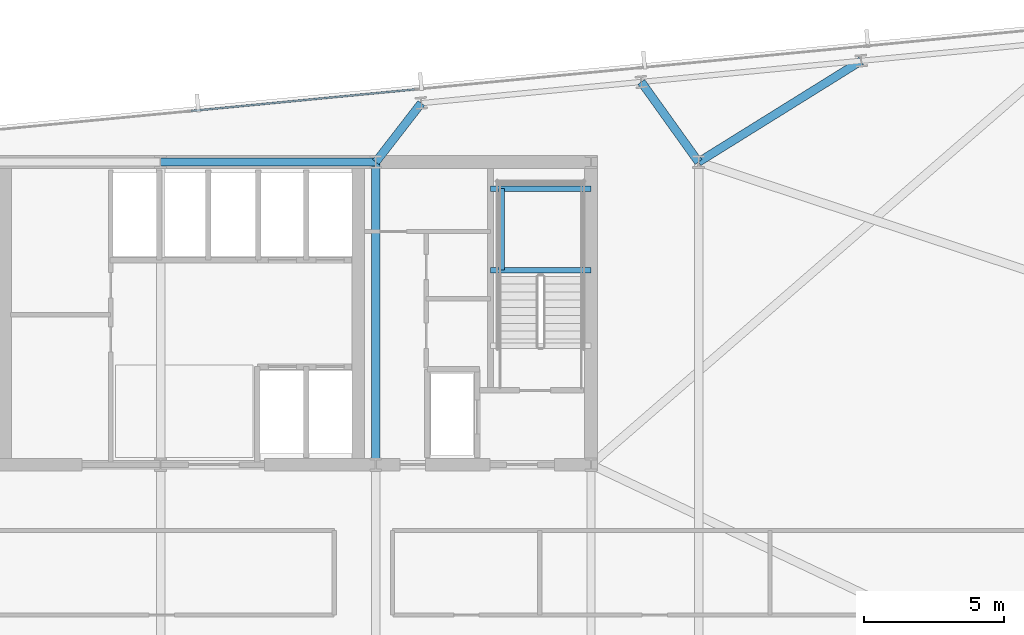
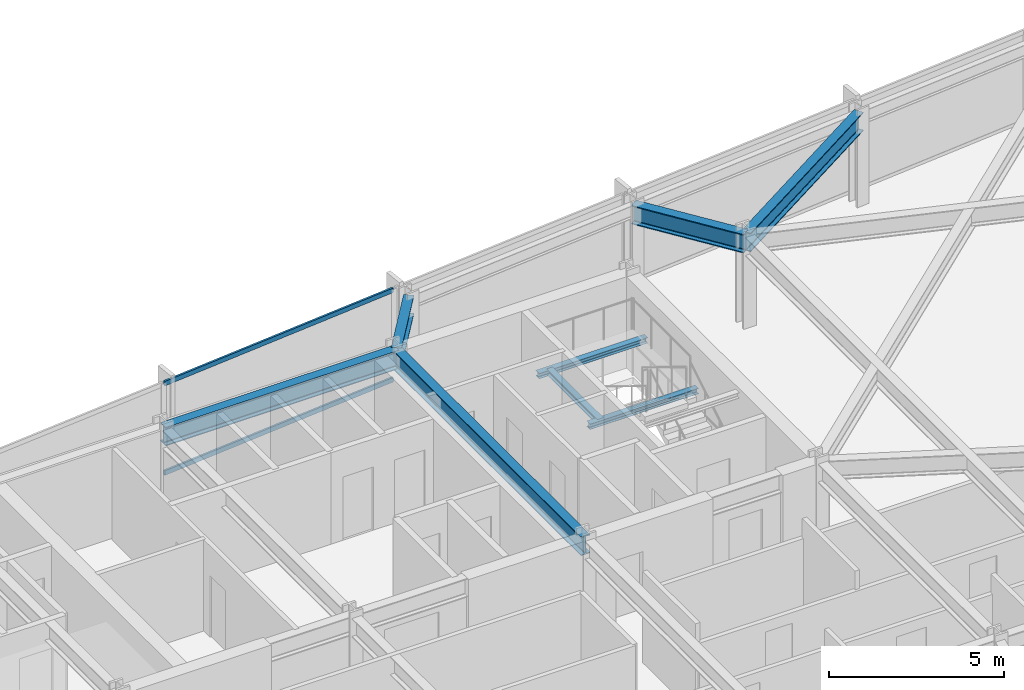
# One storey, part 20 of 32: 8 beams, 2 members, 1 element without a shape of its own.
"""IFC4 building model written with IfcOpenShell, lengths in metres."""

from ifc_helpers import new_model, si_unit, direction, frame, origin, origin_2d, place, context, subcontext, project, spatial, hollow_rectangle, i_section, extrude, material, material_profile, profile_set, type_object, element, aggregate, save


model = new_model("IFC4")

# Units and contexts
model_context = context("Model", 3, precision=1e-05, world=origin(), true_north=direction((0.0, 1.0)))
body_context = subcontext(model_context, "Body", "Model", "MODEL_VIEW")
ifc_project = project(units=[si_unit("LENGTHUNIT", "METRE"), si_unit("AREAUNIT", "SQUARE_METRE"), si_unit("VOLUMEUNIT", "CUBIC_METRE"), si_unit("PLANEANGLEUNIT", "RADIAN"), si_unit("MASSUNIT", "GRAM", prefix="KILO")], contexts=[model_context])

# Site, building, storey
site_placement = place(None, origin())
site = spatial("IfcSite", under=ifc_project, at=site_placement, CompositionType="ELEMENT")
building_placement = place(site_placement, origin())
building = spatial("IfcBuilding", under=site, at=building_placement, Name="Yelkora Congress Tower", CompositionType="ELEMENT")
storey_placement = place(building_placement, frame((0.0, 0.0, 130.5)))
storey = spatial("IfcBuildingStorey", under=building, at=storey_placement, Name="L35", CompositionType="ELEMENT", Elevation=130.5)

# Beams
ifc_material_1 = material(Name="Steel S355J2", Category="steel")
ifc_material_profile_1 = material_profile(ifc_material_1, i_section(OverallWidth=0.300048828125, OverallDepth=0.64990234375, WebThickness=0.01611328125, FlangeThickness=0.031005859375, FilletRadius=0.027099609375, at=origin_2d()), Name="HEB 650")
ifc_profile_set_1 = profile_set([ifc_material_profile_1], Name="Steel S355J2")
beam_type_1 = type_object("IfcBeamType", Name="BM-GIRD-HEB650", PredefinedType="BEAM", material=ifc_profile_set_1)
beam_1_placement = place(storey_placement, frame((38.39990234375, 46.199951171875, 2.85498046875), z_axis=(1.0, 0.0, 0.0), x_axis=(0.0, 1.0, 0.0)))
element("IfcBeam", 1, at=beam_1_placement, inside=storey, type_object=beam_type_1, Name="L35 Core North Girder 4", PredefinedType="BEAM", context=body_context, shape_type="SweptSolid", body=[
    extrude(i_section(OverallWidth=0.300048828125, OverallDepth=0.64990234375, WebThickness=0.01611328125, FlangeThickness=0.031005859375, FilletRadius=0.027099609375, at=origin_2d()), origin(), (0.0, 0.0, 1.0), 7.68017578125),
])
beam_2_placement = place(storey_placement, frame((46.080078125, 35.39990234375, 2.85498046875), z_axis=(0.0, 1.0, 0.0), x_axis=(-1.0, 0.0, 0.0)))
element("IfcBeam", 2, at=beam_2_placement, inside=storey, type_object=beam_type_1, Name="L35 Core Tie Girder MC-S4", PredefinedType="BEAM", context=body_context, shape_type="SweptSolid", body=[
    extrude(i_section(OverallWidth=0.300048828125, OverallDepth=0.64990234375, WebThickness=0.01611328125, FlangeThickness=0.031005859375, FilletRadius=0.027099609375, at=origin_2d()), origin(), (0.0, 0.0, 1.0), 10.800048828125),
])
beam_3_placement = place(storey_placement, frame((47.70458984375, 48.300537109375, 2.85498046875), z_axis=(-0.611761448665, -0.791042306029, 0.0), x_axis=(0.791042306029, -0.611761448665, 0.0)))
element("IfcBeam", 3, at=beam_3_placement, inside=storey, type_object=beam_type_1, Name="L35 Primary Frame Girder N05", PredefinedType="BEAM", context=body_context, shape_type="SweptSolid", body=[
    extrude(i_section(OverallWidth=0.300048828125, OverallDepth=0.64990234375, WebThickness=0.01611328125, FlangeThickness=0.031005859375, FilletRadius=0.027099609375, at=origin_2d()), origin(), (0.0, 0.0, 1.0), 2.655517578125),
])
beam_4_placement = place(storey_placement, frame((55.553955078125, 49.056396484375, 2.85498046875), z_axis=(0.582335305303, -0.81294870207, 0.0), x_axis=(0.81294870207, 0.582335305303, 0.0)))
element("IfcBeam", 4, at=beam_4_placement, inside=storey, type_object=beam_type_1, Name="L35 Primary Frame Girder N06", PredefinedType="BEAM", context=body_context, shape_type="SweptSolid", body=[
    extrude(i_section(OverallWidth=0.300048828125, OverallDepth=0.64990234375, WebThickness=0.01611328125, FlangeThickness=0.031005859375, FilletRadius=0.027099609375, at=origin_2d()), origin(), (0.0, 0.0, 1.0), 3.513671875),
])
beam_5_placement = place(storey_placement, frame((63.4033203125, 49.81201171875, 2.85498046875), z_axis=(-0.848980050527, -0.528424898929, 0.0), x_axis=(0.528424898929, -0.848980050527, 0.0)))
element("IfcBeam", 5, at=beam_5_placement, inside=storey, type_object=beam_type_1, Name="L35 Primary Frame Girder N07", PredefinedType="BEAM", context=body_context, shape_type="SweptSolid", body=[
    extrude(i_section(OverallWidth=0.300048828125, OverallDepth=0.64990234375, WebThickness=0.01611328125, FlangeThickness=0.031005859375, FilletRadius=0.027099609375, at=origin_2d()), origin(), (0.0, 0.0, 1.0), 6.83544921875),
])
ifc_material_profile_2 = material_profile(ifc_material_1, i_section(OverallWidth=0.199951171875, OverallDepth=0.18994140625, WebThickness=0.006591796875, FlangeThickness=0.010009765625, FilletRadius=0.01806640625, at=origin_2d()), Name="HEA 200")
ifc_profile_set_2 = profile_set([ifc_material_profile_2], Name="Steel S355J2")
beam_type_2 = type_object("IfcBeamType", Name="BM-LAND-HEA200", PredefinedType="BEAM", material=ifc_profile_set_2)
for number, where, z_axis, x_axis, name in (
    (6, (50.179931640625, 42.340087890625, 1.384521484375), (1.0, 0.0, 0.0), (0.0, 1.0, 0.0), "ST-02 L35 Landing Header Beam 1S"),
    (7, (50.179931640625, 45.25, 1.384521484375), (1.0, 0.0, 0.0), (0.0, 1.0, 0.0), "ST-02 L35 Landing Header Beam 1N"),
):
    element("IfcBeam", number, at=place(storey_placement, frame(where, z_axis=z_axis, x_axis=x_axis)), inside=storey, type_object=beam_type_2, Name=name, PredefinedType="BEAM", context=body_context, shape_type="SweptSolid", body=[
        extrude(i_section(OverallWidth=0.199951171875, OverallDepth=0.18994140625, WebThickness=0.006591796875, FlangeThickness=0.010009765625, FilletRadius=0.01806640625, at=origin_2d()), origin(), (0.0, 0.0, 1.0), 3.580078125),
    ])
beam_6_placement = place(storey_placement, frame((50.580078125, 42.340087890625, 1.384521484375), z_axis=(0.0, 1.0, 0.0), x_axis=(-1.0, 0.0, 0.0)))
element("IfcBeam", 8, at=beam_6_placement, inside=storey, type_object=beam_type_2, Name="ST-02 L35 Landing Trimmer Beam 1M", PredefinedType="BEAM", context=body_context, shape_type="SweptSolid", body=[
    extrude(i_section(OverallWidth=0.199951171875, OverallDepth=0.18994140625, WebThickness=0.006591796875, FlangeThickness=0.010009765625, FilletRadius=0.01806640625, at=origin_2d()), origin(), (0.0, 0.0, 1.0), 2.909912109375),
])

# Curtain wall, members
ifc_material_2 = material(Name="Anodised aluminium and insulated glass", Category="aluminium")
curtain_wall_type = type_object("IfcCurtainWallType", Name="CW-SYS-B2", PredefinedType="NOTDEFINED", material=ifc_material_2)
curtain_wall_placement = place(storey_placement, origin())
curtain_wall = element("IfcCurtainWall", 9, at=curtain_wall_placement, inside=storey, type_object=curtain_wall_type, Name="L35 Unitised Curtain Wall 10 (3)", PredefinedType="NOTDEFINED")
ifc_material_3 = material(Name="Anodised aluminium 6063-T6", Category="aluminium")
ifc_material_profile_3 = material_profile(ifc_material_3, hollow_rectangle(XDim=0.06494140625, YDim=0.159912109375, WallThickness=0.00390625, at=origin_2d()), Name="ALU 65x160x4")
ifc_profile_set_3 = profile_set([ifc_material_profile_3], Name="Anodised aluminium 6063-T6")
member_type = type_object("IfcMemberType", Name="MEM-TR-B2", PredefinedType="USERDEFINED", material=ifc_profile_set_3)
member_1_placement = place(storey_placement, frame((39.48681640625, 48.021728515625, 0.032470703125), z_axis=(0.995397513894, 0.095832089266, 0.0), x_axis=(-0.095832089266, 0.995397513894, 0.0)))
member_1 = element("IfcMember", 10, at=member_1_placement, type_object=member_type, Name="CW-B2 transom 3.1", ObjectType="TRANSOM", PredefinedType="USERDEFINED", context=body_context, shape_type="SweptSolid", body=[
    extrude(hollow_rectangle(XDim=0.06494140625, YDim=0.159912109375, WallThickness=0.00390625, at=origin_2d()), origin(), (0.0, 0.0, 1.0), 8.007080078125),
])
member_2_placement = place(storey_placement, frame((39.48681640625, 48.021728515625, 3.1474609375), z_axis=(0.995397513894, 0.095832089266, 0.0), x_axis=(-0.095832089266, 0.995397513894, 0.0)))
member_2 = element("IfcMember", 11, at=member_2_placement, type_object=member_type, Name="CW-B2 transom 3.2", ObjectType="TRANSOM", PredefinedType="USERDEFINED", context=body_context, shape_type="SweptSolid", body=[
    extrude(hollow_rectangle(XDim=0.06494140625, YDim=0.159912109375, WallThickness=0.00390625, at=origin_2d()), origin(), (0.0, 0.0, 1.0), 8.007080078125),
])
aggregate(curtain_wall, [member_1, member_2])

save(model, "model.ifc")
